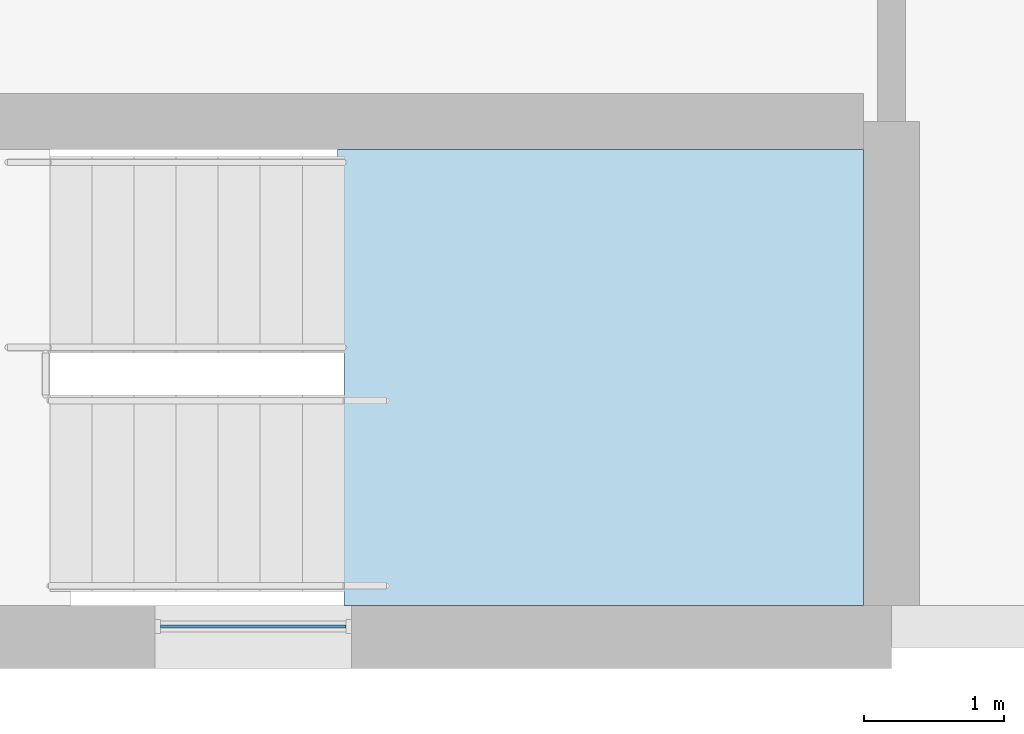
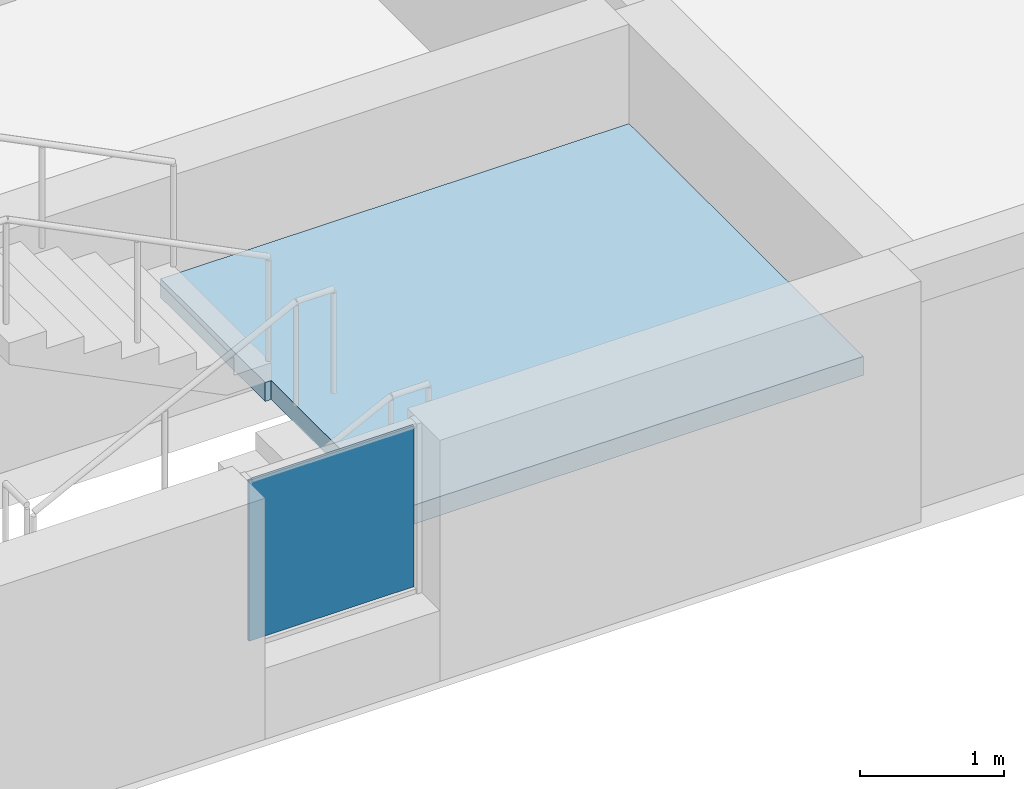
# One storey, part 24 of 48: 1 plate, 1 slab, 2 elements without a shape of their own.
"""IFC4 building model written with IfcOpenShell, lengths in metres."""

from ifc_helpers import new_model, si_unit, direction, frame, origin, origin_2d, place, context, subcontext, project, spatial, polyline, rectangle, outline, extrude, material, layer, layer_set, type_object, element, aggregate, save


model = new_model("IFC4")

# Units and contexts
model_context = context("Model", 3, precision=1e-05, world=origin(), true_north=direction((0.0, 1.0)))
body_context = subcontext(model_context, "Body", "Model", "MODEL_VIEW")
ifc_project = project(units=[si_unit("LENGTHUNIT", "METRE"), si_unit("AREAUNIT", "SQUARE_METRE"), si_unit("VOLUMEUNIT", "CUBIC_METRE"), si_unit("PLANEANGLEUNIT", "RADIAN"), si_unit("MASSUNIT", "GRAM", prefix="KILO")], contexts=[model_context])

# Site, building, storey
site_placement = place(None, origin())
site = spatial("IfcSite", under=ifc_project, at=site_placement, CompositionType="ELEMENT")
building_placement = place(site_placement, origin())
building = spatial("IfcBuilding", under=site, at=building_placement, Name="Yavir Park General Hospital", CompositionType="ELEMENT")
storey_placement = place(building_placement, frame((0.0, 0.0, 12.89990234375)))
storey = spatial("IfcBuildingStorey", under=building, at=storey_placement, Name="I02", CompositionType="ELEMENT", Elevation=12.89990234375)

# Stair, slab
ifc_material_1 = material(Name="Concrete C30/37", Category="concrete")
stair_type = type_object("IfcStairType", Name="Patient escape stair, 16 risers of 150 mm, 1400 mm flights", PredefinedType="HALF_TURN_STAIR", material=ifc_material_1)
stair_placement = place(storey_placement, origin())
stair = element("IfcStair", 1, at=stair_placement, inside=storey, type_object=stair_type, Name="Stair SU4, I02 to L03", PredefinedType="HALF_TURN_STAIR")
ifc_material_2 = material(Name="Concrete C30/37", Category="concrete")
ifc_layer_1 = layer(ifc_material_2, 0.159912109375)
ifc_layer_set_1 = layer_set([ifc_layer_1], Name="Concrete C30/37")
slab_type = type_object("IfcSlabType", Name="Patient escape stair half landing, reinforced concrete 160 mm", PredefinedType="LANDING", material=ifc_layer_set_1)
slab_placement = place(storey_placement, frame((0.0, 0.0, 1.0400390625)))
slab = element("IfcSlab", 2, at=slab_placement, type_object=slab_type, Name="SU4 landing 1", PredefinedType="LANDING", context=body_context, shape_type="SweptSolid", body=[
    extrude(outline(polyline([(105.298583984375, 0.14990234375), (109.0, 0.14990234375), (109.0, 3.39990234375), (105.25, 3.39990234375), (105.25, 1.949951171875), (105.298583984375, 1.949951171875), (105.298583984375, 0.14990234375)])), origin(), (0.0, 0.0, 1.0), 0.16015625),
])
aggregate(stair, [slab])

# Curtain wall, plate
ifc_material_3 = material(Name="Aluminium curtain wall frame with insulated glazing", Category="aluminium")
curtain_wall_type = type_object("IfcCurtainWallType", Name="Stair light slot, interstitial floor, 1440 high, 1400 module", PredefinedType="NOTDEFINED", material=ifc_material_3)
curtain_wall_placement = place(storey_placement, origin())
curtain_wall = element("IfcCurtainWall", 3, at=curtain_wall_placement, inside=storey, type_object=curtain_wall_type, Name="CW12 I02-003", PredefinedType="NOTDEFINED")
ifc_material_4 = material(Name="Single glazed toughened unit 20 mm")
ifc_layer_2 = layer(ifc_material_4, 0.02001953125)
ifc_layer_set_2 = layer_set([ifc_layer_2], Name="Single glazed toughened unit 20 mm")
plate_type = type_object("IfcPlateType", Name="Stair light slot, interstitial floor, 1440 high panel 20", PredefinedType="CURTAIN_PANEL", material=ifc_layer_set_2)
plate_placement = place(storey_placement, frame((104.64990234375, 0.0, 0.64013671875), z_axis=(0.0, 0.0, 1.0), x_axis=(1.0, 0.0, 0.0)))
plate = element("IfcPlate", 4, at=plate_placement, type_object=plate_type, Name="CW12 panel 1.1", PredefinedType="CURTAIN_PANEL", context=body_context, shape_type="SweptSolid", body=[
    extrude(rectangle(XDim=1.320068359375, YDim=0.02001953125, at=origin_2d()), origin(), (0.0, 0.0, 1.0), 1.360107421875),
])
aggregate(curtain_wall, [plate])

save(model, "model.ifc")
